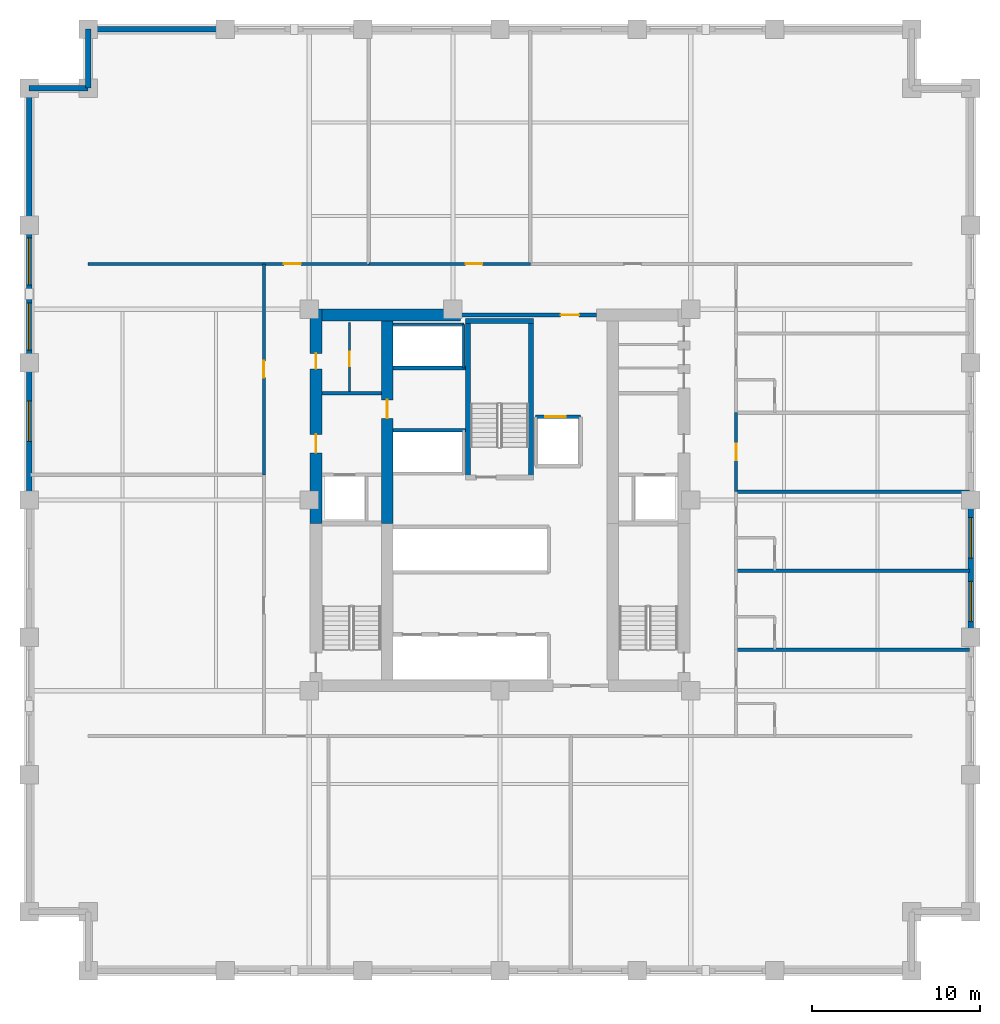
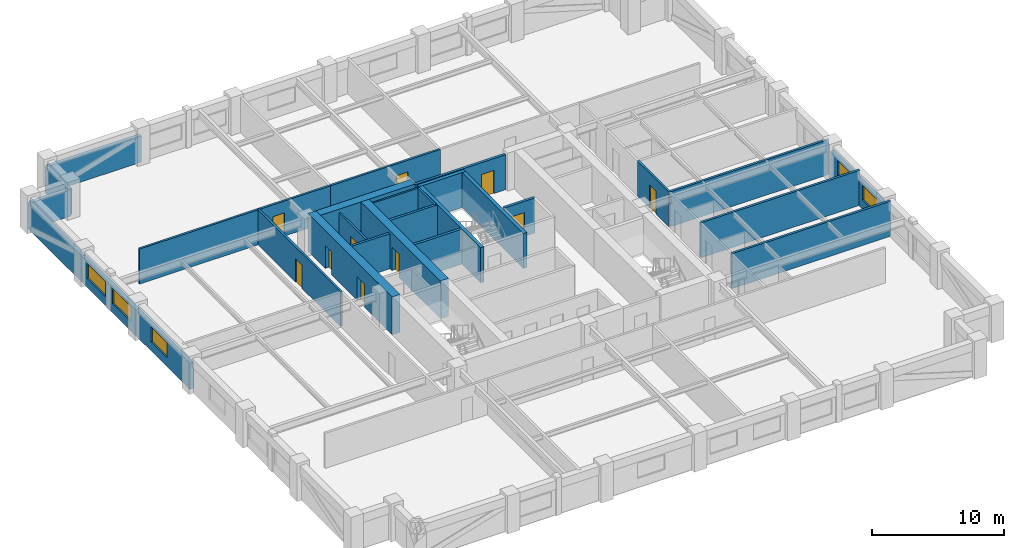
# One storey, part 4 of 7: 28 walls, 10 doors, 5 windows, 15 openings.
"""IFC4 building model written with IfcOpenShell, lengths in metres."""

from ifc_helpers import new_model, si_unit, direction, frame, frame_2d, origin, place, context, subcontext, project, spatial, rectangle, extrude, material, layer, layer_set, type_object, element, fill, save


model = new_model("IFC4")

# Units and contexts
model_context = context("Model", 3, precision=1e-05, world=origin(), true_north=direction((0.0, 1.0)))
body_context = subcontext(model_context, "Body", "Model", "MODEL_VIEW")
ifc_project = project(units=[si_unit("LENGTHUNIT", "METRE"), si_unit("AREAUNIT", "SQUARE_METRE"), si_unit("VOLUMEUNIT", "CUBIC_METRE"), si_unit("PLANEANGLEUNIT", "RADIAN"), si_unit("MASSUNIT", "GRAM", prefix="KILO")], contexts=[model_context])

# Site, building, storey
site_placement = place(None, origin())
site = spatial("IfcSite", under=ifc_project, at=site_placement, CompositionType="ELEMENT")
building_placement = place(site_placement, origin())
building = spatial("IfcBuilding", under=site, at=building_placement, Name="Nhamokura Convention Tower", CompositionType="ELEMENT")
storey_placement = place(building_placement, frame((0.0, 0.0, 73.85009765625)))
storey = spatial("IfcBuildingStorey", under=building, at=storey_placement, Name="L17", CompositionType="ELEMENT", Elevation=73.85009765625)

# Wall, opening, door
ifc_material_1 = material(Name="Moisture-resistant tile-backer partition", Category="masonry")
ifc_layer_1 = layer(ifc_material_1, 0.139892578125)
ifc_layer_set_1 = layer_set([ifc_layer_1], Name="BathroomWetWall_140")
wall_type_1 = type_object("IfcWallType", Name="BathroomWetWall_140", PredefinedType="STANDARD", material=ifc_layer_set_1)
wall_1_placement = place(storey_placement, frame((23.050048828125, 38.449951171875, 0.0), z_axis=(0.0, 0.0, 1.0), x_axis=(0.0, 1.0, 0.0)))
wall_1 = element("IfcWall", 1, at=wall_1_placement, inside=storey, type_object=wall_type_1, Name="L17 Wall INT-L17-CWNWV", PredefinedType="STANDARD", context=body_context, shape_type="SweptSolid", body=[
    extrude(rectangle(XDim=4.10009765625, YDim=0.139892578125, at=frame_2d((2.050048828125, 0.0))), origin(), (0.0, 0.0, 1.0), 3.239990234375),
])
opening_1_placement = place(wall_1_placement, frame((1.5, 0.0, 0.0)))
opening_1 = element("IfcOpeningElement", 2, at=opening_1_placement, cuts=wall_1, Name="Opening D-11", PredefinedType="OPENING", context=body_context, shape_type="SweptSolid", body=[
    extrude(rectangle(XDim=0.8798828125, YDim=2.10009765625, at=frame_2d((0.43994140625, 1.050048828125))), frame((0.0, 0.079833984375, 0.0), z_axis=(0.0, -1.0, 0.0), x_axis=(1.0, 0.0, 0.0)), (0.0, 0.0, 1.0), 0.159912109375),
])
ifc_material_2 = material(Name="Solid oak hardwood", Category="wood")
door_type_1 = type_object("IfcDoorType", Name="BathroomDoor_880", OperationType="NOTDEFINED", PredefinedType="DOOR", material=ifc_material_2)
door_1_placement = place(opening_1_placement, origin())
door_1 = element("IfcDoor", 3, at=door_1_placement, inside=storey, type_object=door_type_1, Name="L17 Inner Store Door", OperationType="SINGLE_SWING_LEFT", OverallHeight=2.10009765625, OverallWidth=0.8798828125, PredefinedType="DOOR", context=body_context, shape_type="SweptSolid", body=[
    extrude(rectangle(XDim=0.8798828125, YDim=2.10009765625, at=frame_2d((0.43994140625, 1.050048828125))), frame((0.0, 0.02490234375, 0.0), z_axis=(0.0, -1.0, 0.0), x_axis=(1.0, 0.0, 0.0)), (0.0, 0.0, 1.0), 0.050048828125),
])
fill(opening_1, door_1)

# Wall
ifc_material_3 = material(Name="Bronze-pigmented precast concrete C45/55", Category="concrete")
ifc_layer_2 = layer(ifc_material_3, 0.320068359375)
ifc_layer_set_2 = layer_set([ifc_layer_2], Name="BronzePrecastSpandrel_320")
wall_type_2 = type_object("IfcWallType", Name="BronzePrecastSpandrel_320", PredefinedType="USERDEFINED", material=ifc_layer_set_2)
wall_2_placement = place(storey_placement, frame((7.5, 60.0, 0.0), z_axis=(0.0, 0.0, 1.0), x_axis=(1.0, 0.0, 0.0)))
element("IfcWall", 4, at=wall_2_placement, inside=storey, type_object=wall_type_2, Name="L17 Braced-Bay Precast Wall NORTH 0", ObjectType="SPANDREL_WALL", PredefinedType="USERDEFINED", context=body_context, shape_type="SweptSolid", body=[
    extrude(rectangle(XDim=8.166748046875, YDim=0.320068359375, at=frame_2d((4.08349609375, 0.0))), origin(), (0.0, 0.0, 1.0), 2.43994140625),
])

# Wall, opening, window
wall_3_placement = place(storey_placement, frame((4.0, 32.0, 0.0), z_axis=(0.0, 0.0, 1.0), x_axis=(0.0, 1.0, 0.0)))
wall_3 = element("IfcWall", 5, at=wall_3_placement, inside=storey, type_object=wall_type_2, Name="L17 Masonry-Frame Wall WEST 3", ObjectType="SPANDREL_WALL", PredefinedType="USERDEFINED", context=body_context, shape_type="SweptSolid", body=[
    extrude(rectangle(XDim=8.166748046875, YDim=0.320068359375, at=frame_2d((4.08349609375, 0.0))), origin(), (0.0, 0.0, 1.0), 2.43994140625),
])
opening_2_placement = place(wall_3_placement, frame((3.4833984375, 0.0, 0.85009765625)))
opening_2 = element("IfcOpeningElement", 6, at=opening_2_placement, cuts=wall_3, Name="Opening W-03", PredefinedType="OPENING", context=body_context, shape_type="SweptSolid", body=[
    extrude(rectangle(XDim=2.39990234375, YDim=1.389892578125, at=frame_2d((1.199951171875, 0.69482421875))), frame((0.0, 0.169921875, 0.0), z_axis=(0.0, -1.0, 0.0), x_axis=(1.0, 0.0, 0.0)), (0.0, 0.0, 1.0), 0.340087890625),
])
ifc_material_4 = material(Name="Solar-control bronze low-E double glass", Category="glass")
window_type_1 = type_object("IfcWindowType", Name="HotelBayWindow_2400", PartitioningType="DOUBLE_PANEL_VERTICAL", PredefinedType="WINDOW", material=ifc_material_4)
window_1_placement = place(opening_2_placement, origin())
window_1 = element("IfcWindow", 7, at=window_1_placement, inside=storey, type_object=window_type_1, Name="L17 Facade Window WEST 3-2", OverallHeight=1.389892578125, OverallWidth=2.39990234375, PartitioningType="SINGLE_PANEL", PredefinedType="WINDOW", context=body_context, shape_type="SweptSolid", body=[
    extrude(rectangle(XDim=2.39990234375, YDim=1.389892578125, at=frame_2d((1.199951171875, 0.69482421875))), frame((0.0, 0.030029296875, 0.0), z_axis=(0.0, -1.0, 0.0), x_axis=(1.0, 0.0, 0.0)), (0.0, 0.0, 1.0), 0.06005859375),
])
fill(opening_2, window_1)

# Wall, openings, windows
wall_4_placement = place(storey_placement, frame((4.0, 40.166748046875, 0.0), z_axis=(0.0, 0.0, 1.0), x_axis=(0.0, 1.0, 0.0)))
wall_4 = element("IfcWall", 8, at=wall_4_placement, inside=storey, type_object=wall_type_2, Name="L17 Masonry-Frame Wall WEST 4", ObjectType="SPANDREL_WALL", PredefinedType="USERDEFINED", context=body_context, shape_type="SweptSolid", body=[
    extrude(rectangle(XDim=8.16650390625, YDim=0.320068359375, at=frame_2d((4.083251953125, 0.0))), origin(), (0.0, 0.0, 1.0), 2.43994140625),
])
opening_3_placement = place(wall_4_placement, frame((0.74169921875, 0.0, 0.85009765625)))
opening_3 = element("IfcOpeningElement", 9, at=opening_3_placement, cuts=wall_4, Name="Opening W-04", PredefinedType="OPENING", context=body_context, shape_type="SweptSolid", body=[
    extrude(rectangle(XDim=2.800048828125, YDim=1.389892578125, at=frame_2d((1.39990234375, 0.69482421875))), frame((0.0, 0.169921875, 0.0), z_axis=(0.0, -1.0, 0.0), x_axis=(1.0, 0.0, 0.0)), (0.0, 0.0, 1.0), 0.340087890625),
])
opening_4_placement = place(wall_4_placement, frame((4.625, 0.0, 0.85009765625)))
opening_4 = element("IfcOpeningElement", 10, at=opening_4_placement, cuts=wall_4, Name="Opening W-04", PredefinedType="OPENING", context=body_context, shape_type="SweptSolid", body=[
    extrude(rectangle(XDim=2.800048828125, YDim=1.389892578125, at=frame_2d((1.39990234375, 0.69482421875))), frame((0.0, 0.169921875, 0.0), z_axis=(0.0, -1.0, 0.0), x_axis=(1.0, 0.0, 0.0)), (0.0, 0.0, 1.0), 0.340087890625),
])
ifc_material_5 = material(Name="Solar-control bronze low-E double glass", Category="glass")
window_type_2 = type_object("IfcWindowType", Name="HotelSuiteWindow_2800", PartitioningType="DOUBLE_PANEL_VERTICAL", PredefinedType="WINDOW", material=ifc_material_5)
window_2_placement = place(opening_3_placement, origin())
window_2 = element("IfcWindow", 11, at=window_2_placement, inside=storey, type_object=window_type_2, Name="L17 Facade Window WEST 4-1", OverallHeight=1.389892578125, OverallWidth=2.800048828125, PartitioningType="SINGLE_PANEL", PredefinedType="WINDOW", context=body_context, shape_type="SweptSolid", body=[
    extrude(rectangle(XDim=2.800048828125, YDim=1.389892578125, at=frame_2d((1.39990234375, 0.69482421875))), frame((0.0, 0.030029296875, 0.0), z_axis=(0.0, -1.0, 0.0), x_axis=(1.0, 0.0, 0.0)), (0.0, 0.0, 1.0), 0.06005859375),
])
fill(opening_3, window_2)
window_3_placement = place(opening_4_placement, origin())
window_3 = element("IfcWindow", 12, at=window_3_placement, inside=storey, type_object=window_type_2, Name="L17 Facade Window WEST 4-2", OverallHeight=1.389892578125, OverallWidth=2.800048828125, PartitioningType="SINGLE_PANEL", PredefinedType="WINDOW", context=body_context, shape_type="SweptSolid", body=[
    extrude(rectangle(XDim=2.800048828125, YDim=1.389892578125, at=frame_2d((1.39990234375, 0.69482421875))), frame((0.0, 0.030029296875, 0.0), z_axis=(0.0, -1.0, 0.0), x_axis=(1.0, 0.0, 0.0)), (0.0, 0.0, 1.0), 0.06005859375),
])
fill(opening_4, window_3)

# Wall
wall_5_placement = place(storey_placement, frame((4.0, 48.333251953125, 0.0), z_axis=(0.0, 0.0, 1.0), x_axis=(0.0, 1.0, 0.0)))
element("IfcWall", 13, at=wall_5_placement, inside=storey, type_object=wall_type_2, Name="L17 Braced-Bay Precast Wall WEST 5", ObjectType="SPANDREL_WALL", PredefinedType="USERDEFINED", context=body_context, shape_type="SweptSolid", body=[
    extrude(rectangle(XDim=8.166748046875, YDim=0.320068359375, at=frame_2d((4.08349609375, 0.0))), origin(), (0.0, 0.0, 1.0), 2.43994140625),
])

# Wall, openings, windows
wall_6_placement = place(storey_placement, frame((60.0, 32.0, 0.0), z_axis=(0.0, 0.0, 1.0), x_axis=(0.0, -1.0, 0.0)))
wall_6 = element("IfcWall", 14, at=wall_6_placement, inside=storey, type_object=wall_type_2, Name="L17 Masonry-Frame Wall EAST 2", ObjectType="SPANDREL_WALL", PredefinedType="USERDEFINED", context=body_context, shape_type="SweptSolid", body=[
    extrude(rectangle(XDim=8.166748046875, YDim=0.320068359375, at=frame_2d((4.08349609375, 0.0))), origin(), (0.0, 0.0, 1.0), 2.43994140625),
])
opening_5_placement = place(wall_6_placement, frame((1.050048828125, 0.0, 0.85009765625)))
opening_5 = element("IfcOpeningElement", 15, at=opening_5_placement, cuts=wall_6, Name="Opening W-03", PredefinedType="OPENING", context=body_context, shape_type="SweptSolid", body=[
    extrude(rectangle(XDim=2.39990234375, YDim=1.389892578125, at=frame_2d((1.199951171875, 0.69482421875))), frame((0.0, 0.169921875, 0.0), z_axis=(0.0, -1.0, 0.0), x_axis=(1.0, 0.0, 0.0)), (0.0, 0.0, 1.0), 0.340087890625),
])
opening_6_placement = place(wall_6_placement, frame((4.833251953125, 0.0, 0.85009765625)))
opening_6 = element("IfcOpeningElement", 16, at=opening_6_placement, cuts=wall_6, Name="Opening W-03", PredefinedType="OPENING", context=body_context, shape_type="SweptSolid", body=[
    extrude(rectangle(XDim=2.39990234375, YDim=1.389892578125, at=frame_2d((1.199951171875, 0.69482421875))), frame((0.0, 0.169921875, 0.0), z_axis=(0.0, -1.0, 0.0), x_axis=(1.0, 0.0, 0.0)), (0.0, 0.0, 1.0), 0.340087890625),
])
window_4_placement = place(opening_5_placement, origin())
window_4 = element("IfcWindow", 17, at=window_4_placement, inside=storey, type_object=window_type_1, Name="L17 Facade Window EAST 2-1", OverallHeight=1.389892578125, OverallWidth=2.39990234375, PartitioningType="SINGLE_PANEL", PredefinedType="WINDOW", context=body_context, shape_type="SweptSolid", body=[
    extrude(rectangle(XDim=2.39990234375, YDim=1.389892578125, at=frame_2d((1.199951171875, 0.69482421875))), frame((0.0, 0.030029296875, 0.0), z_axis=(0.0, -1.0, 0.0), x_axis=(1.0, 0.0, 0.0)), (0.0, 0.0, 1.0), 0.06005859375),
])
fill(opening_5, window_4)
window_5_placement = place(opening_6_placement, origin())
window_5 = element("IfcWindow", 18, at=window_5_placement, inside=storey, type_object=window_type_1, Name="L17 Facade Window EAST 2-2", OverallHeight=1.389892578125, OverallWidth=2.39990234375, PartitioningType="SINGLE_PANEL", PredefinedType="WINDOW", context=body_context, shape_type="SweptSolid", body=[
    extrude(rectangle(XDim=2.39990234375, YDim=1.389892578125, at=frame_2d((1.199951171875, 0.69482421875))), frame((0.0, 0.030029296875, 0.0), z_axis=(0.0, -1.0, 0.0), x_axis=(1.0, 0.0, 0.0)), (0.0, 0.0, 1.0), 0.06005859375),
])
fill(opening_6, window_5)

# Walls
for number, where, z_axis, x_axis, name in (
    (19, (7.5, 56.5, 0.0), (0.0, 0.0, 1.0), (0.0, 1.0, 0.0), "L17 Notched Corner Wall NW1"),
    (20, (4.0, 56.5, 0.0), (0.0, 0.0, 1.0), (1.0, 0.0, 0.0), "L17 Notched Corner Wall NW2"),
):
    element("IfcWall", number, at=place(storey_placement, frame(where, z_axis=z_axis, x_axis=x_axis)), inside=storey, type_object=wall_type_2, Name=name, ObjectType="SPANDREL_WALL", PredefinedType="USERDEFINED", context=body_context, shape_type="SweptSolid", body=[
        extrude(rectangle(XDim=3.5, YDim=0.320068359375, at=frame_2d((1.75, 0.0))), origin(), (0.0, 0.0, 1.0), 2.43994140625),
    ])

# Wall, openings, doors
ifc_material_6 = material(Name="Concrete C70/85", Category="concrete")
ifc_layer_3 = layer(ifc_material_6, 0.699951171875)
ifc_layer_set_3 = layer_set([ifc_layer_3], Name="CoreShearWall_700")
wall_type_3 = type_object("IfcWallType", Name="CoreShearWall_700", PredefinedType="SHEAR", material=ifc_layer_set_3)
wall_7_placement = place(storey_placement, frame((21.06005859375, 30.60009765625, 0.0), z_axis=(0.0, 0.0, 1.0), x_axis=(0.0, 1.0, 0.0)))
wall_7 = element("IfcWall", 21, at=wall_7_placement, inside=storey, type_object=wall_type_3, Name="L17 Core Shear Wall CW-WN", PredefinedType="SHEAR", context=body_context, shape_type="SweptSolid", body=[
    extrude(rectangle(XDim=12.75, YDim=0.699951171875, at=frame_2d((6.375, 0.0))), origin(), (0.0, 0.0, 1.0), 3.5),
])
opening_7_placement = place(wall_7_placement, frame((4.199951171875, 0.0, 0.0)))
opening_7 = element("IfcOpeningElement", 22, at=opening_7_placement, cuts=wall_7, Name="Opening D-05", PredefinedType="OPENING", context=body_context, shape_type="SweptSolid", body=[
    extrude(rectangle(XDim=1.10009765625, YDim=2.14990234375, at=frame_2d((0.550048828125, 1.074951171875))), frame((0.0, 0.35986328125, 0.0), z_axis=(0.0, -1.0, 0.0), x_axis=(1.0, 0.0, 0.0)), (0.0, 0.0, 1.0), 0.719970703125),
])
opening_8_placement = place(wall_7_placement, frame((9.199951171875, 0.0, 0.0)))
opening_8 = element("IfcOpeningElement", 23, at=opening_8_placement, cuts=wall_7, Name="Opening D-10", PredefinedType="OPENING", context=body_context, shape_type="SweptSolid", body=[
    extrude(rectangle(XDim=0.919921875, YDim=2.10009765625, at=frame_2d((0.4599609375, 1.050048828125))), frame((0.0, 0.35986328125, 0.0), z_axis=(0.0, -1.0, 0.0), x_axis=(1.0, 0.0, 0.0)), (0.0, 0.0, 1.0), 0.719970703125),
])
ifc_material_7 = material(Name="Solid oak hardwood", Category="wood")
door_type_2 = type_object("IfcDoorType", Name="AccessibleWCDoor_920", OperationType="NOTDEFINED", PredefinedType="DOOR", material=ifc_material_7)
door_2_placement = place(opening_8_placement, origin())
door_2 = element("IfcDoor", 24, at=door_2_placement, inside=storey, type_object=door_type_2, Name="L17 Core Door INT-L17-D-AWCW", OperationType="SINGLE_SWING_RIGHT", OverallHeight=2.10009765625, OverallWidth=0.919921875, PredefinedType="DOOR", context=body_context, shape_type="SweptSolid", body=[
    extrude(rectangle(XDim=0.919921875, YDim=2.10009765625, at=frame_2d((0.4599609375, 1.050048828125))), frame((0.0, 0.02490234375, 0.0), z_axis=(0.0, -1.0, 0.0), x_axis=(1.0, 0.0, 0.0)), (0.0, 0.0, 1.0), 0.050048828125),
])
fill(opening_8, door_2)
ifc_material_8 = material(Name="Fire-rated steel door", Category="steel")
door_type_3 = type_object("IfcDoorType", Name="FireLobbyDoor_1100", OperationType="NOTDEFINED", PredefinedType="DOOR", material=ifc_material_8)
door_3_placement = place(opening_7_placement, origin())
door_3 = element("IfcDoor", 25, at=door_3_placement, inside=storey, type_object=door_type_3, Name="L17 Core Door INT-L17-D-FFLW", OperationType="SINGLE_SWING_RIGHT", OverallHeight=2.14990234375, OverallWidth=1.10009765625, PredefinedType="DOOR", context=body_context, shape_type="SweptSolid", body=[
    extrude(rectangle(XDim=1.10009765625, YDim=2.14990234375, at=frame_2d((0.550048828125, 1.074951171875))), frame((0.0, 0.02490234375, 0.0), z_axis=(0.0, -1.0, 0.0), x_axis=(1.0, 0.0, 0.0)), (0.0, 0.0, 1.0), 0.050048828125),
])
fill(opening_7, door_3)

# Wall
wall_8_placement = place(storey_placement, frame((21.409912109375, 43.0, 0.0), z_axis=(0.0, 0.0, 1.0), x_axis=(1.0, 0.0, 0.0)))
element("IfcWall", 26, at=wall_8_placement, inside=storey, type_object=wall_type_3, Name="L17 Core Shear Wall CW-N1", PredefinedType="SHEAR", context=body_context, shape_type="SweptSolid", body=[
    extrude(rectangle(XDim=8.239990234375, YDim=0.699951171875, at=frame_2d((4.1201171875, 0.0))), origin(), (0.0, 0.0, 1.0), 3.5),
])

# Wall, opening, door
wall_9_placement = place(storey_placement, frame((25.2900390625, 30.60009765625, 0.0), z_axis=(0.0, 0.0, 1.0), x_axis=(0.0, 1.0, 0.0)))
wall_9 = element("IfcWall", 27, at=wall_9_placement, inside=storey, type_object=wall_type_3, Name="L17 Core Shear Wall CW-IWN", PredefinedType="SHEAR", context=body_context, shape_type="SweptSolid", body=[
    extrude(rectangle(XDim=12.0498046875, YDim=0.699951171875, at=frame_2d((6.02490234375, 0.0))), origin(), (0.0, 0.0, 1.0), 3.5),
])
opening_9_placement = place(wall_9_placement, frame((6.25, 0.0, 0.0)))
opening_9 = element("IfcOpeningElement", 28, at=opening_9_placement, cuts=wall_9, Name="Opening D-05", PredefinedType="OPENING", context=body_context, shape_type="SweptSolid", body=[
    extrude(rectangle(XDim=1.10009765625, YDim=2.14990234375, at=frame_2d((0.550048828125, 1.074951171875))), frame((0.0, 0.35986328125, 0.0), z_axis=(0.0, -1.0, 0.0), x_axis=(1.0, 0.0, 0.0)), (0.0, 0.0, 1.0), 0.719970703125),
])
door_4_placement = place(opening_9_placement, origin())
door_4 = element("IfcDoor", 29, at=door_4_placement, inside=storey, type_object=door_type_3, Name="L17 Core Door INT-L17-D-B3LOB", OperationType="SINGLE_SWING_LEFT", OverallHeight=2.14990234375, OverallWidth=1.10009765625, PredefinedType="DOOR", context=body_context, shape_type="SweptSolid", body=[
    extrude(rectangle(XDim=1.10009765625, YDim=2.14990234375, at=frame_2d((0.550048828125, 1.074951171875))), frame((0.0, 0.02490234375, 0.0), z_axis=(0.0, -1.0, 0.0), x_axis=(1.0, 0.0, 0.0)), (0.0, 0.0, 1.0), 0.050048828125),
])
fill(opening_9, door_4)

ifc_material_9 = material(Name="Fire-rated gypsum and masonry partition", Category="masonry")
ifc_layer_4 = layer(ifc_material_9, 0.179931640625)
ifc_layer_set_4 = layer_set([ifc_layer_4], Name="CorridorRatedWall_180")
wall_type_4 = type_object("IfcWallType", Name="CorridorRatedWall_180", PredefinedType="STANDARD", material=ifc_layer_set_4)
wall_10_placement = place(storey_placement, frame((7.5, 46.050048828125, 0.0), z_axis=(0.0, 0.0, 1.0), x_axis=(1.0, 0.0, 0.0)))
wall_10 = element("IfcWall", 30, at=wall_10_placement, inside=storey, type_object=wall_type_4, Name="L17 Wall INT-L17-CW-N00", PredefinedType="STANDARD", context=body_context, shape_type="SweptSolid", body=[
    extrude(rectangle(XDim=16.699951171875, YDim=0.179931640625, at=frame_2d((8.35009765625, 0.0))), origin(), (0.0, 0.0, 1.0), 3.239990234375),
])
opening_10_placement = place(wall_10_placement, frame((11.64990234375, 0.0, 0.0)))
opening_10 = element("IfcOpeningElement", 31, at=opening_10_placement, cuts=wall_10, Name="Opening D-07", PredefinedType="OPENING", context=body_context, shape_type="SweptSolid", body=[
    extrude(rectangle(XDim=1.0, YDim=2.14990234375, at=frame_2d((0.5, 1.074951171875))), frame((0.0, 0.099853515625, 0.0), z_axis=(0.0, -1.0, 0.0), x_axis=(1.0, 0.0, 0.0)), (0.0, 0.0, 1.0), 0.199951171875),
])
ifc_material_10 = material(Name="Solid oak hardwood", Category="wood")
door_type_4 = type_object("IfcDoorType", Name="HotelSuiteEntryDoor_1000", OperationType="NOTDEFINED", PredefinedType="DOOR", material=ifc_material_10)
door_5_placement = place(opening_10_placement, origin())
door_5 = element("IfcDoor", 32, at=door_5_placement, inside=storey, type_object=door_type_4, Name="L17 Conference Salon N01 Door", OperationType="SINGLE_SWING_LEFT", OverallHeight=2.14990234375, OverallWidth=1.0, PredefinedType="DOOR", context=body_context, shape_type="SweptSolid", body=[
    extrude(rectangle(XDim=1.0, YDim=2.14990234375, at=frame_2d((0.5, 1.074951171875))), frame((0.0, 0.02490234375, 0.0), z_axis=(0.0, -1.0, 0.0), x_axis=(1.0, 0.0, 0.0)), (0.0, 0.0, 1.0), 0.050048828125),
])
fill(opening_10, door_5)

wall_11_placement = place(storey_placement, frame((24.199951171875, 46.050048828125, 0.0), z_axis=(0.0, 0.0, 1.0), x_axis=(1.0, 0.0, 0.0)))
wall_11 = element("IfcWall", 33, at=wall_11_placement, inside=storey, type_object=wall_type_4, Name="L17 Wall INT-L17-CW-N01", PredefinedType="STANDARD", context=body_context, shape_type="SweptSolid", body=[
    extrude(rectangle(XDim=9.60009765625, YDim=0.179931640625, at=frame_2d((4.800048828125, 0.0))), origin(), (0.0, 0.0, 1.0), 3.239990234375),
])
opening_11_placement = place(wall_11_placement, frame((5.75, 0.0, 0.0)))
opening_11 = element("IfcOpeningElement", 34, at=opening_11_placement, cuts=wall_11, Name="Opening D-07", PredefinedType="OPENING", context=body_context, shape_type="SweptSolid", body=[
    extrude(rectangle(XDim=1.0, YDim=2.14990234375, at=frame_2d((0.5, 1.074951171875))), frame((0.0, 0.099853515625, 0.0), z_axis=(0.0, -1.0, 0.0), x_axis=(1.0, 0.0, 0.0)), (0.0, 0.0, 1.0), 0.199951171875),
])
door_6_placement = place(opening_11_placement, origin())
door_6 = element("IfcDoor", 35, at=door_6_placement, inside=storey, type_object=door_type_4, Name="L17 Conference Salon N02 Door", OperationType="SINGLE_SWING_RIGHT", OverallHeight=2.14990234375, OverallWidth=1.0, PredefinedType="DOOR", context=body_context, shape_type="SweptSolid", body=[
    extrude(rectangle(XDim=1.0, YDim=2.14990234375, at=frame_2d((0.5, 1.074951171875))), frame((0.0, 0.02490234375, 0.0), z_axis=(0.0, -1.0, 0.0), x_axis=(1.0, 0.0, 0.0)), (0.0, 0.0, 1.0), 0.050048828125),
])
fill(opening_11, door_6)

wall_12_placement = place(storey_placement, frame((17.949951171875, 33.5, 0.0), z_axis=(0.0, 0.0, 1.0), x_axis=(0.0, 1.0, 0.0)))
wall_12 = element("IfcWall", 36, at=wall_12_placement, inside=storey, type_object=wall_type_4, Name="L17 Wall INT-L17-CW-W01", PredefinedType="STANDARD", context=body_context, shape_type="SweptSolid", body=[
    extrude(rectangle(XDim=12.550048828125, YDim=0.179931640625, at=frame_2d((6.27490234375, 0.0))), origin(), (0.0, 0.0, 1.0), 3.239990234375),
])
opening_12_placement = place(wall_12_placement, frame((5.77490234375, 0.0, 0.0)))
opening_12 = element("IfcOpeningElement", 37, at=opening_12_placement, cuts=wall_12, Name="Opening D-07", PredefinedType="OPENING", context=body_context, shape_type="SweptSolid", body=[
    extrude(rectangle(XDim=1.0, YDim=2.14990234375, at=frame_2d((0.5, 1.074951171875))), frame((0.0, 0.099853515625, 0.0), z_axis=(0.0, -1.0, 0.0), x_axis=(1.0, 0.0, 0.0)), (0.0, 0.0, 1.0), 0.199951171875),
])
door_7_placement = place(opening_12_placement, origin())
door_7 = element("IfcDoor", 38, at=door_7_placement, inside=storey, type_object=door_type_4, Name="L17 Hotel Club Dining Room W02 Door", OperationType="SINGLE_SWING_RIGHT", OverallHeight=2.14990234375, OverallWidth=1.0, PredefinedType="DOOR", context=body_context, shape_type="SweptSolid", body=[
    extrude(rectangle(XDim=1.0, YDim=2.14990234375, at=frame_2d((0.5, 1.074951171875))), frame((0.0, 0.02490234375, 0.0), z_axis=(0.0, -1.0, 0.0), x_axis=(1.0, 0.0, 0.0)), (0.0, 0.0, 1.0), 0.050048828125),
])
fill(opening_12, door_7)

wall_13_placement = place(storey_placement, frame((46.050048828125, 32.5, 0.0), z_axis=(0.0, 0.0, 1.0), x_axis=(0.0, 1.0, 0.0)))
wall_13 = element("IfcWall", 39, at=wall_13_placement, inside=storey, type_object=wall_type_4, Name="L17 Wall INT-L17-CW-E03", PredefinedType="STANDARD", context=body_context, shape_type="SweptSolid", body=[
    extrude(rectangle(XDim=4.699951171875, YDim=0.179931640625, at=frame_2d((2.35009765625, 0.0))), origin(), (0.0, 0.0, 1.0), 3.239990234375),
])
opening_13_placement = place(wall_13_placement, frame((1.85009765625, 0.0, 0.0)))
opening_13 = element("IfcOpeningElement", 40, at=opening_13_placement, cuts=wall_13, Name="Opening D-07", PredefinedType="OPENING", context=body_context, shape_type="SweptSolid", body=[
    extrude(rectangle(XDim=1.0, YDim=2.14990234375, at=frame_2d((0.5, 1.074951171875))), frame((0.0, 0.099853515625, 0.0), z_axis=(0.0, -1.0, 0.0), x_axis=(1.0, 0.0, 0.0)), (0.0, 0.0, 1.0), 0.199951171875),
])
door_8_placement = place(opening_13_placement, origin())
door_8 = element("IfcDoor", 41, at=door_8_placement, inside=storey, type_object=door_type_4, Name="L17 Housekeeping Store E04 Door", OperationType="SINGLE_SWING_RIGHT", OverallHeight=2.14990234375, OverallWidth=1.0, PredefinedType="DOOR", context=body_context, shape_type="SweptSolid", body=[
    extrude(rectangle(XDim=1.0, YDim=2.14990234375, at=frame_2d((0.5, 1.074951171875))), frame((0.0, 0.02490234375, 0.0), z_axis=(0.0, -1.0, 0.0), x_axis=(1.0, 0.0, 0.0)), (0.0, 0.0, 1.0), 0.050048828125),
])
fill(opening_13, door_8)

# Walls
ifc_material_11 = material(Name="Autoclaved concrete blockwork", Category="masonry")
ifc_layer_5 = layer(ifc_material_11, 0.219970703125)
ifc_layer_set_5 = layer_set([ifc_layer_5], Name="FireLobbyWall_220")
wall_type_5 = type_object("IfcWallType", Name="FireLobbyWall_220", PredefinedType="STANDARD", material=ifc_layer_set_5)
wall_14_placement = place(storey_placement, frame((21.409912109375, 38.35009765625, 0.0), z_axis=(0.0, 0.0, 1.0), x_axis=(1.0, 0.0, 0.0)))
element("IfcWall", 42, at=wall_14_placement, inside=storey, type_object=wall_type_5, Name="L17 Wall INT-L17-FFW-N", PredefinedType="STANDARD", context=body_context, shape_type="SweptSolid", body=[
    extrude(rectangle(XDim=3.530029296875, YDim=0.219970703125, at=frame_2d((1.76513671875, 0.0))), origin(), (0.0, 0.0, 1.0), 3.239990234375),
])
for number, where, z_axis, x_axis, name in (
    (43, (25.64990234375, 36.14990234375, 0.0), (0.0, 0.0, 1.0), (1.0, 0.0, 0.0), "L17 Wall INT-L17-B3S"),
    (44, (25.64990234375, 39.85009765625, 0.0), (0.0, 0.0, 1.0), (1.0, 0.0, 0.0), "L17 Wall INT-L17-B3N"),
):
    element("IfcWall", number, at=place(storey_placement, frame(where, z_axis=z_axis, x_axis=x_axis)), inside=storey, type_object=wall_type_5, Name=name, PredefinedType="STANDARD", context=body_context, shape_type="SweptSolid", body=[
        extrude(rectangle(XDim=4.300048828125, YDim=0.219970703125, at=frame_2d((2.14990234375, 0.0))), origin(), (0.0, 0.0, 1.0), 3.239990234375),
    ])

# Wall, opening, door
wall_15_placement = place(storey_placement, frame((29.64990234375, 43.0, 0.0), z_axis=(0.0, 0.0, 1.0), x_axis=(1.0, 0.0, 0.0)))
wall_15 = element("IfcWall", 45, at=wall_15_placement, inside=storey, type_object=wall_type_5, Name="L17 Wall INT-L17-CPORT-N", PredefinedType="STANDARD", context=body_context, shape_type="SweptSolid", body=[
    extrude(rectangle(XDim=8.10009765625, YDim=0.219970703125, at=frame_2d((4.050048828125, 0.0))), origin(), (0.0, 0.0, 1.0), 3.239990234375),
])
opening_14_placement = place(wall_15_placement, frame((5.949951171875, 0.0, 0.0)))
opening_14 = element("IfcOpeningElement", 46, at=opening_14_placement, cuts=wall_15, Name="Opening D-05", PredefinedType="OPENING", context=body_context, shape_type="SweptSolid", body=[
    extrude(rectangle(XDim=1.10009765625, YDim=2.14990234375, at=frame_2d((0.550048828125, 1.074951171875))), frame((0.0, 0.119873046875, 0.0), z_axis=(0.0, -1.0, 0.0), x_axis=(1.0, 0.0, 0.0)), (0.0, 0.0, 1.0), 0.239990234375),
])
door_9_placement = place(opening_14_placement, origin())
door_9 = element("IfcDoor", 47, at=door_9_placement, inside=storey, type_object=door_type_3, Name="L17 North Core Lobby Portal Door", OperationType="SINGLE_SWING_RIGHT", OverallHeight=2.14990234375, OverallWidth=1.10009765625, PredefinedType="DOOR", context=body_context, shape_type="SweptSolid", body=[
    extrude(rectangle(XDim=1.10009765625, YDim=2.14990234375, at=frame_2d((0.550048828125, 1.074951171875))), frame((0.0, 0.02490234375, 0.0), z_axis=(0.0, -1.0, 0.0), x_axis=(1.0, 0.0, 0.0)), (0.0, 0.0, 1.0), 0.050048828125),
])
fill(opening_14, door_9)

wall_16_placement = place(storey_placement, frame((34.1201171875, 36.949951171875, 0.0), z_axis=(0.0, 0.0, 1.0), x_axis=(1.0, 0.0, 0.0)))
wall_16 = element("IfcWall", 48, at=wall_16_placement, inside=storey, type_object=wall_type_5, Name="L17 Wall INT-L17-LSN", PredefinedType="STANDARD", context=body_context, shape_type="SweptSolid", body=[
    extrude(rectangle(XDim=2.679931640625, YDim=0.219970703125, at=frame_2d((1.33984375, 0.0))), origin(), (0.0, 0.0, 1.0), 3.239990234375),
])
opening_15_placement = place(wall_16_placement, frame((0.580078125, 0.0, 0.0)))
opening_15 = element("IfcOpeningElement", 49, at=opening_15_placement, cuts=wall_16, Name="Opening LD-02", PredefinedType="OPENING", context=body_context, shape_type="SweptSolid", body=[
    extrude(rectangle(XDim=1.199951171875, YDim=2.199951171875, at=frame_2d((0.60009765625, 1.10009765625))), frame((0.0, 0.119873046875, 0.0), z_axis=(0.0, -1.0, 0.0), x_axis=(1.0, 0.0, 0.0)), (0.0, 0.0, 1.0), 0.239990234375),
])
ifc_material_12 = material(Name="Anodised bronze stainless steel", Category="steel")
door_type_5 = type_object("IfcDoorType", Name="LiftLandingDoor_FireService", OperationType="DOUBLE_DOOR_SLIDING", PredefinedType="DOOR", material=ifc_material_12)
door_10_placement = place(opening_15_placement, origin())
door_10 = element("IfcDoor", 50, at=door_10_placement, inside=storey, type_object=door_type_5, Name="L17 Service Lift LS-01 Door", OperationType="DOUBLE_DOOR_SLIDING", OverallHeight=2.199951171875, OverallWidth=1.199951171875, PredefinedType="DOOR", context=body_context, shape_type="SweptSolid", body=[
    extrude(rectangle(XDim=1.199951171875, YDim=2.199951171875, at=frame_2d((0.60009765625, 1.10009765625))), frame((0.0, 0.02490234375, 0.0), z_axis=(0.0, -1.0, 0.0), x_axis=(1.0, 0.0, 0.0)), (0.0, 0.0, 1.0), 0.050048828125),
])
fill(opening_15, door_10)

# Walls
ifc_material_13 = material(Name="Acoustic twin-stud gypsum partition", Category="masonry")
ifc_layer_6 = layer(ifc_material_13, 0.199951171875)
ifc_layer_set_6 = layer_set([ifc_layer_6], Name="HotelDemisingWall_200")
wall_type_6 = type_object("IfcWallType", Name="HotelDemisingWall_200", PredefinedType="STANDARD", material=ifc_layer_set_6)
for number, where, z_axis, x_axis, name in (
    (51, (46.050048828125, 23.10009765625, 0.0), (0.0, 0.0, 1.0), (1.0, 0.0, 0.0), "L17 Wall INT-L17-RW-E01"),
    (52, (46.050048828125, 27.800048828125, 0.0), (0.0, 0.0, 1.0), (1.0, 0.0, 0.0), "L17 Wall INT-L17-RW-E02"),
    (53, (46.050048828125, 32.5, 0.0), (0.0, 0.0, 1.0), (1.0, 0.0, 0.0), "L17 Wall INT-L17-RW-E03"),
):
    element("IfcWall", number, at=place(storey_placement, frame(where, z_axis=z_axis, x_axis=x_axis)), inside=storey, type_object=wall_type_6, Name=name, PredefinedType="STANDARD", context=body_context, shape_type="SweptSolid", body=[
        extrude(rectangle(XDim=13.889892578125, YDim=0.199951171875, at=frame_2d((6.94482421875, 0.0))), origin(), (0.0, 0.0, 1.0), 3.239990234375),
    ])
ifc_material_14 = material(Name="Acoustic gypsum stud partition", Category="masonry")
ifc_layer_7 = layer(ifc_material_14, 0.14990234375)
ifc_layer_set_7 = layer_set([ifc_layer_7], Name="InteriorPartition_150")
wall_type_7 = type_object("IfcWallType", Name="InteriorPartition_150", PredefinedType="STANDARD", material=ifc_layer_set_7)
wall_17_placement = place(storey_placement, frame((25.64990234375, 42.449951171875, 0.0), z_axis=(0.0, 0.0, 1.0), x_axis=(1.0, 0.0, 0.0)))
element("IfcWall", 54, at=wall_17_placement, inside=storey, type_object=wall_type_7, Name="L17 Wall INT-L17-B3B-N", PredefinedType="STANDARD", context=body_context, shape_type="SweptSolid", body=[
    extrude(rectangle(XDim=4.2001953125, YDim=0.14990234375, at=frame_2d((2.10009765625, 0.0))), origin(), (0.0, 0.0, 1.0), 3.239990234375),
])
wall_18_placement = place(storey_placement, frame((29.85009765625, 39.85009765625, 0.0), z_axis=(0.0, 0.0, 1.0), x_axis=(0.0, 1.0, 0.0)))
element("IfcWall", 55, at=wall_18_placement, inside=storey, type_object=wall_type_7, Name="L17 Wall INT-L17-B3B-E", PredefinedType="STANDARD", context=body_context, shape_type="SweptSolid", body=[
    extrude(rectangle(XDim=2.599853515625, YDim=0.14990234375, at=frame_2d((1.2998046875, 0.0))), origin(), (0.0, 0.0, 1.0), 3.239990234375),
])
ifc_material_15 = material(Name="Concrete C50/60", Category="concrete")
ifc_layer_8 = layer(ifc_material_15, 0.300048828125)
ifc_layer_set_8 = layer_set([ifc_layer_8], Name="ShaftEnclosureWall_300")
wall_type_8 = type_object("IfcWallType", Name="ShaftEnclosureWall_300", PredefinedType="SHEAR", material=ifc_layer_set_8)
for number, where, z_axis, x_axis, name in (
    (56, (30.10009765625, 33.199951171875, 0.0), (0.0, 0.0, 1.0), (0.0, 1.0, 0.0), "L17 Wall INT-L17-ST03W"),
    (57, (33.85009765625, 33.199951171875, 0.0), (0.0, 0.0, 1.0), (0.0, 1.0, 0.0), "L17 Wall INT-L17-ST03E"),
):
    element("IfcWall", number, at=place(storey_placement, frame(where, z_axis=z_axis, x_axis=x_axis)), inside=storey, type_object=wall_type_8, Name=name, PredefinedType="SHEAR", context=body_context, shape_type="SweptSolid", body=[
        extrude(rectangle(XDim=9.60009765625, YDim=0.300048828125, at=frame_2d((4.800048828125, 0.0))), origin(), (0.0, 0.0, 1.0), 3.239990234375),
    ])
wall_19_placement = place(storey_placement, frame((29.949951171875, 42.64990234375, 0.0), z_axis=(0.0, 0.0, 1.0), x_axis=(1.0, 0.0, 0.0)))
element("IfcWall", 58, at=wall_19_placement, inside=storey, type_object=wall_type_8, Name="L17 Wall INT-L17-ST03N", PredefinedType="SHEAR", context=body_context, shape_type="SweptSolid", body=[
    extrude(rectangle(XDim=4.050048828125, YDim=0.300048828125, at=frame_2d((2.02490234375, 0.0))), origin(), (0.0, 0.0, 1.0), 3.239990234375),
])

save(model, "model.ifc")
